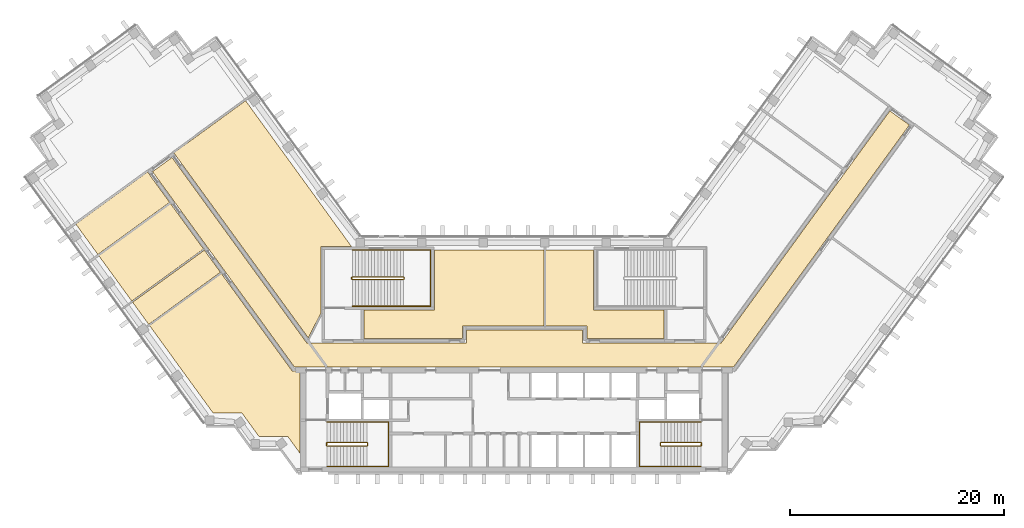
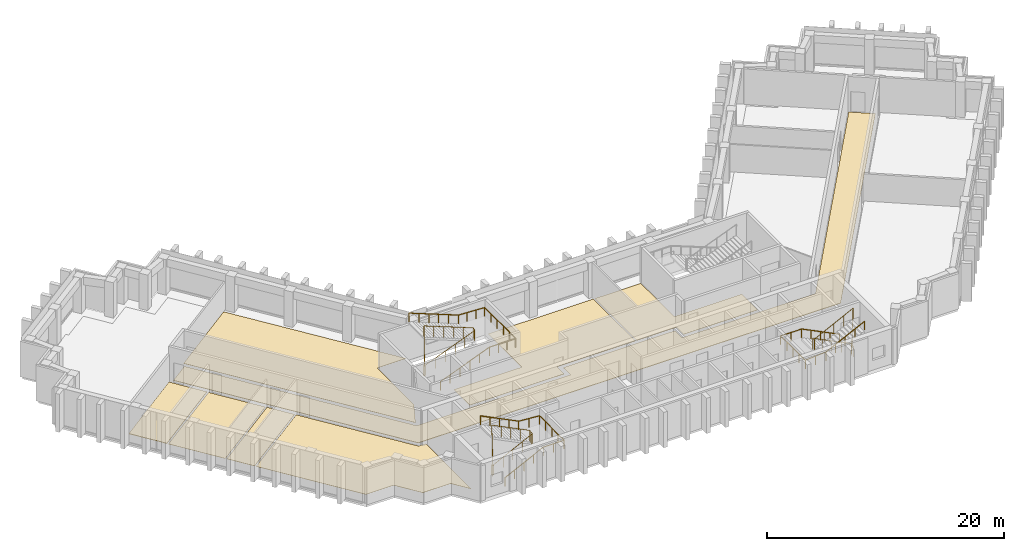
# One storey, part 9 of 10: 8 coverings, 6 railings.
"""IFC4 building model written with IfcOpenShell, lengths in metres."""

import ifcopenshell
import ifcopenshell.guid

model = None  # the IFC model being written
_history = None  # IfcOwnerHistory: only IFC2X3 demands one
_inside = {}  # id of a spatial element -> (the spatial element, [elements in it])
_under = {}  # id of a project, library or spatial element -> (it, [spatial elements below it])
_declared = {}  # id of a project -> (the project, [libraries it declares])
_typed = {}  # id of a type object -> (the type object, [elements of that type])
_made_of = {}  # id of a material, layer set ... -> (it, [elements and type objects made of it])


def new_model(schema):
    """Start an empty IFC model of exactly this schema.

    Asked for "IFC4X3", IfcOpenShell would pick the latest addendum, in which some entities
    have other attributes; the version numbers below select the first issue.
    IFC2X3 requires an IfcOwnerHistory on every rooted entity: one is made here for all.
    """
    global model, _history
    if schema == "IFC4X3":
        model = ifcopenshell.file(schema_version=(4, 3, 0, 0))
    else:
        model = ifcopenshell.file(schema=schema)
    _inside.clear()
    _under.clear()
    _declared.clear()
    _typed.clear()
    _made_of.clear()
    _history = None
    if model.schema == "IFC2X3":
        org = make("IfcOrganization", Name="unknown")
        user = make(
            "IfcPersonAndOrganization",
            ThePerson=make("IfcPerson", FamilyName="unknown"),
            TheOrganization=org,
        )
        app = make(
            "IfcApplication",
            ApplicationDeveloper=org,
            Version="unknown",
            ApplicationFullName="unknown",
            ApplicationIdentifier="unknown",
        )
        _history = make(
            "IfcOwnerHistory",
            OwningUser=user,
            OwningApplication=app,
            ChangeAction="ADDED",
            CreationDate=0,
        )
    return model


def make(cls, **values):
    """One entity of the class cls with the attributes given. An attribute that is None is left unset."""
    return model.create_entity(
        cls, **{name: value for name, value in values.items() if value is not None}
    )


def rooted(cls, **values):
    """An entity with a GlobalId (a new one), such as an element, a storey or a relation."""
    return make(cls, GlobalId=ifcopenshell.guid.new(), OwnerHistory=_history, **values)


def si_unit(unit_type, name, prefix=None):
    """IfcSIUnit, for example si_unit("LENGTHUNIT", "METRE", prefix="MILLI")."""
    return make("IfcSIUnit", UnitType=unit_type, Prefix=prefix, Name=name)


def assignment(units):
    """IfcUnitAssignment: the units of a project."""
    return None if units is None else make("IfcUnitAssignment", Units=units)


def point(xyz):
    """IfcCartesianPoint."""
    return None if xyz is None else make("IfcCartesianPoint", Coordinates=xyz)


def direction(xyz):
    """IfcDirection."""
    return None if xyz is None else make("IfcDirection", DirectionRatios=xyz)


def frame(location, z_axis=None, x_axis=None):
    """IfcAxis2Placement3D, a coordinate frame: its origin and axes. An axis left out is left unset."""
    return make(
        "IfcAxis2Placement3D",
        Location=point(location),
        Axis=direction(z_axis),
        RefDirection=direction(x_axis),
    )


def frame_2d(location, x_axis=None):
    """IfcAxis2Placement2D, a coordinate frame in the plane: its origin and x axis."""
    return make(
        "IfcAxis2Placement2D", Location=point(location), RefDirection=direction(x_axis)
    )


def origin():
    """The frame at (0, 0, 0) with its axes left unset."""
    return frame((0.0, 0.0, 0.0))


def origin_2d():
    """The frame at (0, 0) in the plane with its x axis left unset."""
    return frame_2d((0.0, 0.0))


def place(relative_to, where):
    """IfcLocalPlacement: puts the frame where relative to a parent placement (None: the world)."""
    return make(
        "IfcLocalPlacement", PlacementRelTo=relative_to, RelativePlacement=where
    )


def context(
    kind, dimensions, precision=None, world=None, true_north=None, identifier=None
):
    """IfcGeometricRepresentationContext, for example the 3D "Model" context."""
    return make(
        "IfcGeometricRepresentationContext",
        ContextIdentifier=identifier,
        ContextType=kind,
        CoordinateSpaceDimension=dimensions,
        Precision=precision,
        WorldCoordinateSystem=world,
        TrueNorth=true_north,
    )


def subcontext(parent, identifier, kind, view, scale=None):
    """IfcGeometricRepresentationSubContext, for example "Body" below "Model"."""
    return make(
        "IfcGeometricRepresentationSubContext",
        ContextIdentifier=identifier,
        ContextType=kind,
        ParentContext=parent,
        TargetScale=scale,
        TargetView=view,
    )


def project(units=None, contexts=None):
    """IfcProject with its units and contexts."""
    return rooted(
        "IfcProject",
        Name="project",
        RepresentationContexts=contexts,
        UnitsInContext=assignment(units),
    )


def spatial(cls, under=None, at=None, **own):
    """A site, building, storey or space (cls), placed at a placement, below another one or the project."""
    s = rooted(cls, ObjectPlacement=at, **own)
    if under is not None:
        _under.setdefault(under.id(), (under, []))[1].append(s)
    return s


def polyline(points):
    """IfcPolyline through the points."""
    return make("IfcPolyline", Points=[point(p) for p in points])


def profile(cls, at=None, kind="AREA", **sizes):
    """A parametric profile (cls). Its sizes go by their IFC names, for example OverallWidth=200.0."""
    return make(cls, ProfileType=kind, Position=at, **sizes)


def circle(**sizes):
    """IfcCircleProfileDef."""
    return profile("IfcCircleProfileDef", **sizes)


def outline(outer, holes=None, kind="AREA"):
    """IfcArbitraryClosedProfileDef: a profile drawn as a closed curve; with holes, ...WithVoids."""
    if holes is None:
        return make("IfcArbitraryClosedProfileDef", ProfileType=kind, OuterCurve=outer)
    return make(
        "IfcArbitraryProfileDefWithVoids",
        ProfileType=kind,
        OuterCurve=outer,
        InnerCurves=holes,
    )


def extrude(swept, where, along, depth):
    """IfcExtrudedAreaSolid: the profile swept, set in the frame where, extruded along a direction by depth."""
    return make(
        "IfcExtrudedAreaSolid",
        SweptArea=swept,
        Position=where,
        ExtrudedDirection=direction(along),
        Depth=depth,
    )


def shape(context_of_items, identifier, shape_type, items):
    """IfcShapeRepresentation: the items that make up one representation, for example the "Body"."""
    return make(
        "IfcShapeRepresentation",
        ContextOfItems=context_of_items,
        RepresentationIdentifier=identifier,
        RepresentationType=shape_type,
        Items=items,
    )


def material(Name=None, Category=None):
    """IfcMaterial."""
    return make("IfcMaterial", Name=Name, Category=Category)


def layer(
    of_material, thickness, ventilated=None, Name=None, Category=None, Priority=None
):
    """IfcMaterialLayer: one layer of a wall or slab, of a material (None: an air gap)."""
    return make(
        "IfcMaterialLayer",
        Material=of_material,
        LayerThickness=thickness,
        IsVentilated=ventilated,
        Name=Name,
        Category=Category,
        Priority=Priority,
    )


def layer_set(layers, Name=None):
    """IfcMaterialLayerSet."""
    return make("IfcMaterialLayerSet", MaterialLayers=layers, LayerSetName=Name)


def made_of(thing, what):
    """Note that an element or type object is made of a material, layer set ...; save() writes the relation."""
    if what is not None:
        _made_of.setdefault(what.id(), (what, []))[1].append(thing)
    return thing


def type_object(cls, material=None, **own):
    """A type object (cls), such as IfcWallType, which elements share."""
    return made_of(rooted(cls, **own), material)


def element(
    cls,
    number,
    at=None,
    inside=None,
    cuts=None,
    type_object=None,
    material=None,
    context=None,
    identifier="Body",
    shape_type=None,
    held_by="IfcProductDefinitionShape",
    body=None,
    shapes=None,
    **own,
):
    """One element of the class cls, such as IfcWall. Its Tag is "e" and its number.

    at: its placement. inside: the storey or other place that contains it. cuts: it is an
    opening in that element (IfcRelVoidsElement). A single representation is given by context,
    identifier, shape_type and body (its items); several are given by shapes. held_by: the class
    of the entity that holds the representations. save() writes the other relations.
    """
    e = rooted(cls, Tag="e%d" % number, ObjectPlacement=at, **own)
    if body is not None:
        shapes = [shape(context, identifier, shape_type, body)]
    if shapes is not None:
        e.Representation = make(held_by, Representations=shapes)
    if inside is not None:
        _inside.setdefault(inside.id(), (inside, []))[1].append(e)
    if cuts is not None:
        rooted(
            "IfcRelVoidsElement", RelatingBuildingElement=cuts, RelatedOpeningElement=e
        )
    if type_object is not None:
        _typed.setdefault(type_object.id(), (type_object, []))[1].append(e)
    return made_of(e, material)


def aggregate(whole, parts):
    """IfcRelAggregates: a whole, such as a stair, and the parts it consists of."""
    return rooted("IfcRelAggregates", RelatingObject=whole, RelatedObjects=parts)


def save(model, path):
    """Write the relations noted so far, then the file.

    IfcRelAggregates (storeys below a building ...), IfcRelContainedInSpatialStructure (elements
    in a storey), IfcRelDefinesByType, IfcRelAssociatesMaterial and IfcRelDeclares: one each for
    every whole, place, type object, material and project.
    """
    for whole, parts in _under.values():
        aggregate(whole, parts)
    for where, things in _inside.values():
        rooted(
            "IfcRelContainedInSpatialStructure",
            RelatedElements=things,
            RelatingStructure=where,
        )
    for kind, things in _typed.values():
        rooted("IfcRelDefinesByType", RelatedObjects=things, RelatingType=kind)
    for what, things in _made_of.values():
        rooted("IfcRelAssociatesMaterial", RelatedObjects=things, RelatingMaterial=what)
    for by, libraries in _declared.values():
        rooted("IfcRelDeclares", RelatingContext=by, RelatedDefinitions=libraries)
    model.write(path)


model = new_model("IFC4")

# Units and contexts
model_context = context("Model", 3, precision=1e-05, world=origin(), true_north=direction((0.0, 1.0)))
body_context = subcontext(model_context, "Body", "Model", "MODEL_VIEW")
ifc_project = project(units=[si_unit("LENGTHUNIT", "METRE"), si_unit("AREAUNIT", "SQUARE_METRE"), si_unit("VOLUMEUNIT", "CUBIC_METRE"), si_unit("PLANEANGLEUNIT", "RADIAN"), si_unit("MASSUNIT", "GRAM", prefix="KILO")], contexts=[model_context])

# Site, building, storey
site_placement = place(None, origin())
site = spatial("IfcSite", under=ifc_project, at=site_placement, CompositionType="ELEMENT")
building_placement = place(site_placement, origin())
building = spatial("IfcBuilding", under=site, at=building_placement, Name="Quipu Civic Tower", CompositionType="ELEMENT")
storey_placement = place(building_placement, frame((0.0, 0.0, 176.0)))
storey = spatial("IfcBuildingStorey", under=building, at=storey_placement, Name="L41", CompositionType="ELEMENT", Elevation=176.0)

# Coverings
ifc_material_1 = material(Name="Carpet tile on raised access floor")
ifc_layer_1 = layer(ifc_material_1, 0.02001953125)
ifc_layer_set_1 = layer_set([ifc_layer_1], Name="Carpet tile on raised access floor")
covering_type_1 = type_object("IfcCoveringType", Name="Carpet tile floor finish 20", PredefinedType="FLOORING", material=ifc_layer_set_1)
covering_1_placement = place(storey_placement, origin())
element("IfcCovering", 1, at=covering_1_placement, inside=storey, type_object=covering_type_1, Name="Carpet tile floor finish 20", PredefinedType="FLOORING", context=body_context, shape_type="SweptSolid", body=[
    extrude(outline(polyline([(2.948974609375, 2.719970703125), (2.948974609375, 9.830078125), (7.429931640625, 9.830078125), (7.430908203125, 4.179931640625), (14.030029296875, 4.179931640625), (14.030029296875, 1.52001953125), (6.820068359375, 1.52001953125), (6.819091796875, 2.719970703125), (2.948974609375, 2.719970703125)])), origin(), (0.0, 0.0, 1.0), 0.02001953125),
])
covering_2_placement = place(storey_placement, origin())
element("IfcCovering", 2, at=covering_2_placement, inside=storey, type_object=covering_type_1, Name="Carpet tile floor finish 20", PredefinedType="FLOORING", context=body_context, shape_type="SweptSolid", body=[
    extrude(outline(polyline([(-38.89990234375, 9.291015625), (-32.177001953125, 14.174072265625), (-29.0859375, 9.9189453125), (-35.80908203125, 5.034912109375), (-38.89990234375, 9.291015625)])), origin(), (0.0, 0.0, 1.0), 0.02001953125),
])
covering_3_placement = place(storey_placement, origin())
element("IfcCovering", 3, at=covering_3_placement, inside=storey, type_object=covering_type_1, Name="Carpet tile floor finish 20", PredefinedType="FLOORING", context=body_context, shape_type="SweptSolid", body=[
    extrude(outline(polyline([(-14.030029296875, 1.52001953125), (-14.030029296875, 4.179931640625), (-7.429931640625, 4.180908203125), (-7.429931640625, 9.830078125), (2.80908203125, 9.830078125), (2.80908203125, 2.719970703125), (-4.818115234375, 2.719970703125), (-4.820068359375, 1.52001953125), (-14.030029296875, 1.52001953125)])), origin(), (0.0, 0.0, 1.0), 0.02001953125),
])
covering_4_placement = place(storey_placement, origin())
element("IfcCovering", 4, at=covering_4_placement, inside=storey, type_object=covering_type_1, Name="Carpet tile floor finish 20", PredefinedType="FLOORING", context=body_context, shape_type="SweptSolid", body=[
    extrude(outline(polyline([(-31.865966796875, 18.9189453125), (-25.14306640625, 23.802978515625), (-15.238037109375, 10.169921875), (-18.070068359375, 10.1689453125), (-18.070068359375, 3.94189453125), (-19.27197265625, 1.583984375), (-31.865966796875, 18.9189453125)])), origin(), (0.0, 0.0, 1.0), 0.02001953125),
])
covering_5_placement = place(storey_placement, origin())
element("IfcCovering", 5, at=covering_5_placement, inside=storey, type_object=covering_type_1, Name="Carpet tile floor finish 20", PredefinedType="FLOORING", context=body_context, shape_type="SweptSolid", body=[
    extrude(outline(polyline([(-34.138916015625, 2.738037109375), (-27.416015625, 7.62109375), (-20.77490234375, -1.51904296875), (-20.070068359375, -1.52001953125), (-20.070068359375, -9.195068359375), (-21.196044921875, -7.64599609375), (-23.89501953125, -7.64599609375), (-25.48193359375, -5.4619140625), (-28.181884765625, -5.4609375), (-34.138916015625, 2.738037109375)])), origin(), (0.0, 0.0, 1.0), 0.02001953125),
])
ifc_material_2 = material(Name="Ceramic floor tile")
ifc_layer_2 = layer(ifc_material_2, 0.030029296875)
ifc_layer_set_2 = layer_set([ifc_layer_2], Name="Ceramic floor tile")
covering_type_2 = type_object("IfcCoveringType", Name="Ceramic tile floor finish 30", PredefinedType="FLOORING", material=ifc_layer_set_2)
covering_6_placement = place(storey_placement, origin())
element("IfcCovering", 6, at=covering_6_placement, inside=storey, type_object=covering_type_2, Name="Ceramic tile floor finish 30", PredefinedType="FLOORING", context=body_context, shape_type="SweptSolid", body=[
    extrude(outline(polyline([(-35.72607421875, 4.922119140625), (-29.0029296875, 9.805908203125), (-27.4990234375, 7.73388671875), (-34.221923828125, 2.85107421875), (-35.72607421875, 4.922119140625)])), origin(), (0.0, 0.0, 1.0), 0.030029296875),
])
ifc_material_3 = material(Name="Sealed cement screed")
ifc_layer_3 = layer(ifc_material_3, 0.050048828125)
ifc_layer_set_3 = layer_set([ifc_layer_3], Name="Sealed cement screed")
covering_type_3 = type_object("IfcCoveringType", Name="Sealed screed floor finish 50", PredefinedType="FLOORING", material=ifc_layer_set_3)
covering_7_placement = place(storey_placement, origin())
element("IfcCovering", 7, at=covering_7_placement, inside=storey, type_object=covering_type_3, Name="Sealed screed floor finish 50", PredefinedType="FLOORING", context=body_context, shape_type="SweptSolid", body=[
    extrude(outline(polyline([(-41.048095703125, 12.2470703125), (-34.324951171875, 17.131103515625), (-32.260009765625, 14.287109375), (-38.98291015625, 9.404052734375), (-41.048095703125, 12.2470703125)])), origin(), (0.0, 0.0, 1.0), 0.050048828125),
])

# Railings
ifc_material_4 = material(Name="Stainless steel", Category="steel")
railing_type_1 = type_object("IfcRailingType", Name="Stair guard 1100", PredefinedType="GUARDRAIL", material=ifc_material_4)
railing_1_placement = place(storey_placement, frame((-17.5, -8.550048828125, 0.15380859375)))
element("IfcRailing", 8, at=railing_1_placement, inside=storey, type_object=railing_type_1, Name="Stair 1 guard", PredefinedType="GUARDRAIL", context=body_context, shape_type="SweptSolid", body=[
    extrude(circle(Radius=0.02392578125, at=origin_2d()), frame((0.0, 0.0, 1.076171875), z_axis=(0.895751851347, 0.0, 0.444554407028), x_axis=(0.0, 1.0, 0.0)), (0.0, 0.0, 1.0), 4.15283203125),
    extrude(circle(Radius=0.02392578125, at=origin_2d()), frame((3.719970703125, 0.0, 2.92236328125), z_axis=(0.707106781187, 0.707106781187, 0.0), x_axis=(-0.707106781187, 0.707106781187, 0.0)), (0.0, 0.0, 1.0), 0.07080078125),
    extrude(circle(Radius=0.02392578125, at=origin_2d()), frame((3.77001953125, 0.050048828125, 2.92236328125), z_axis=(0.0, 1.0, 0.0), x_axis=(-1.0, 0.0, 0.0)), (0.0, 0.0, 1.0), 0.25),
    extrude(circle(Radius=0.02392578125, at=origin_2d()), frame((3.77001953125, 0.300048828125, 2.92236328125), z_axis=(-0.295599637079, 0.295599637079, 0.908428152975), x_axis=(-0.707106781187, -0.707106781187, 0.0)), (0.0, 0.0, 1.0), 0.16943359375),
    extrude(circle(Radius=0.02392578125, at=origin_2d()), frame((3.719970703125, 0.35009765625, 3.076171875), z_axis=(-0.895751851347, 0.0, 0.444554407028), x_axis=(0.0, -1.0, 0.0)), (0.0, 0.0, 1.0), 4.15283203125),
    extrude(circle(Radius=0.02392578125, at=origin_2d()), frame((0.0, 0.35009765625, 4.92236328125), z_axis=(-0.012476181752, -0.074796231092, -0.997120789425), x_axis=(0.986372223864, -0.164529134168, 0.0)), (0.0, 0.0, 1.0), 4.011474609375),
    extrude(circle(Radius=0.02392578125, at=origin_2d()), frame((-0.050048828125, 0.050048828125, 0.92236328125), z_axis=(0.0, 1.0, 0.0), x_axis=(-1.0, 0.0, 0.0)), (0.0, 0.0, 1.0), 0.25),
    extrude(circle(Radius=0.02099609375, at=origin_2d()), origin(), (0.0, 0.0, 1.0), 1.052001953125),
    extrude(circle(Radius=0.02099609375, at=origin_2d()), frame((0.929931640625, 0.0, 0.46142578125)), (0.0, 0.0, 1.0), 1.052001953125),
    extrude(circle(Radius=0.02099609375, at=origin_2d()), frame((1.85986328125, 0.0, 0.923095703125)), (0.0, 0.0, 1.0), 1.052001953125),
    extrude(circle(Radius=0.02099609375, at=origin_2d()), frame((2.7900390625, 0.0, 1.384765625)), (0.0, 0.0, 1.0), 1.052001953125),
    extrude(circle(Radius=0.02099609375, at=origin_2d()), frame((3.719970703125, 0.0, 1.84619140625)), (0.0, 0.0, 1.0), 1.052001953125),
    extrude(circle(Radius=0.02099609375, at=origin_2d()), frame((3.77001953125, 0.050048828125, 1.84619140625)), (0.0, 0.0, 1.0), 1.052001953125),
    extrude(circle(Radius=0.02099609375, at=origin_2d()), frame((3.77001953125, 0.300048828125, 1.84619140625)), (0.0, 0.0, 1.0), 1.052001953125),
    extrude(circle(Radius=0.02099609375, at=origin_2d()), frame((3.719970703125, 0.35009765625, 2.0)), (0.0, 0.0, 1.0), 1.052001953125),
    extrude(circle(Radius=0.02099609375, at=origin_2d()), frame((2.7900390625, 0.35009765625, 2.46142578125)), (0.0, 0.0, 1.0), 1.052001953125),
    extrude(circle(Radius=0.02099609375, at=origin_2d()), frame((1.85986328125, 0.35009765625, 2.923095703125)), (0.0, 0.0, 1.0), 1.052001953125),
    extrude(circle(Radius=0.02099609375, at=origin_2d()), frame((0.929931640625, 0.35009765625, 3.384765625)), (0.0, 0.0, 1.0), 1.052001953125),
    extrude(circle(Radius=0.02099609375, at=origin_2d()), frame((0.0, 0.35009765625, 3.84619140625)), (0.0, 0.0, 1.0), 1.052001953125),
    extrude(circle(Radius=0.02099609375, at=origin_2d()), frame((-0.012451171875, 0.275146484375, 2.84619140625)), (0.0, 0.0, 1.0), 1.052001953125),
    extrude(circle(Radius=0.02099609375, at=origin_2d()), frame((-0.02490234375, 0.2001953125, 1.84619140625)), (0.0, 0.0, 1.0), 1.052001953125),
    extrude(circle(Radius=0.02099609375, at=origin_2d()), frame((-0.03759765625, 0.125, 0.84619140625)), (0.0, 0.0, 1.0), 1.052001953125),
    extrude(circle(Radius=0.02099609375, at=origin_2d()), frame((-0.050048828125, 0.050048828125, -0.15380859375)), (0.0, 0.0, 1.0), 1.052001953125),
    extrude(circle(Radius=0.02099609375, at=origin_2d()), frame((-0.050048828125, 0.300048828125, -0.15380859375)), (0.0, 0.0, 1.0), 1.052001953125),
])
railing_2_placement = place(storey_placement, frame((17.5, -8.199951171875, 0.15380859375)))
element("IfcRailing", 9, at=railing_2_placement, inside=storey, type_object=railing_type_1, Name="Stair 2 guard", PredefinedType="GUARDRAIL", context=body_context, shape_type="SweptSolid", body=[
    extrude(circle(Radius=0.02392578125, at=origin_2d()), frame((0.0, 0.0, 1.076171875), z_axis=(-0.895751851347, 0.0, 0.444554407028), x_axis=(0.0, -1.0, 0.0)), (0.0, 0.0, 1.0), 4.15283203125),
    extrude(circle(Radius=0.02392578125, at=origin_2d()), frame((-3.719970703125, 0.0, 2.92236328125), z_axis=(-0.707106781187, -0.707106781187, 0.0), x_axis=(0.707106781187, -0.707106781187, 0.0)), (0.0, 0.0, 1.0), 0.07080078125),
    extrude(circle(Radius=0.02392578125, at=origin_2d()), frame((-3.77001953125, -0.050048828125, 2.92236328125), z_axis=(0.0, -1.0, 0.0), x_axis=(1.0, 0.0, 0.0)), (0.0, 0.0, 1.0), 0.25),
    extrude(circle(Radius=0.02392578125, at=origin_2d()), frame((-3.77001953125, -0.300048828125, 2.92236328125), z_axis=(0.295599637079, -0.295599637079, 0.908428152975), x_axis=(0.707106781187, 0.707106781187, 0.0)), (0.0, 0.0, 1.0), 0.16943359375),
    extrude(circle(Radius=0.02392578125, at=origin_2d()), frame((-3.719970703125, -0.35009765625, 3.076171875), z_axis=(0.895751851347, 0.0, 0.444554407028), x_axis=(0.0, 1.0, 0.0)), (0.0, 0.0, 1.0), 4.15283203125),
    extrude(circle(Radius=0.02392578125, at=origin_2d()), frame((0.0, -0.35009765625, 4.92236328125), z_axis=(0.012476181752, 0.074796231092, -0.997120789425), x_axis=(-0.986372223864, 0.164529134168, 0.0)), (0.0, 0.0, 1.0), 4.011474609375),
    extrude(circle(Radius=0.02392578125, at=origin_2d()), frame((0.050048828125, -0.050048828125, 0.92236328125), z_axis=(0.0, -1.0, 0.0), x_axis=(1.0, 0.0, 0.0)), (0.0, 0.0, 1.0), 0.25),
    extrude(circle(Radius=0.02099609375, at=origin_2d()), origin(), (0.0, 0.0, 1.0), 1.052001953125),
    extrude(circle(Radius=0.02099609375, at=origin_2d()), frame((-0.929931640625, 0.0, 0.46142578125)), (0.0, 0.0, 1.0), 1.052001953125),
    extrude(circle(Radius=0.02099609375, at=origin_2d()), frame((-1.85986328125, 0.0, 0.923095703125)), (0.0, 0.0, 1.0), 1.052001953125),
    extrude(circle(Radius=0.02099609375, at=origin_2d()), frame((-2.7900390625, 0.0, 1.384765625)), (0.0, 0.0, 1.0), 1.052001953125),
    extrude(circle(Radius=0.02099609375, at=origin_2d()), frame((-3.719970703125, 0.0, 1.84619140625)), (0.0, 0.0, 1.0), 1.052001953125),
    extrude(circle(Radius=0.02099609375, at=origin_2d()), frame((-3.77001953125, -0.050048828125, 1.84619140625)), (0.0, 0.0, 1.0), 1.052001953125),
    extrude(circle(Radius=0.02099609375, at=origin_2d()), frame((-3.77001953125, -0.300048828125, 1.84619140625)), (0.0, 0.0, 1.0), 1.052001953125),
    extrude(circle(Radius=0.02099609375, at=origin_2d()), frame((-3.719970703125, -0.35009765625, 2.0)), (0.0, 0.0, 1.0), 1.052001953125),
    extrude(circle(Radius=0.02099609375, at=origin_2d()), frame((-2.7900390625, -0.35009765625, 2.46142578125)), (0.0, 0.0, 1.0), 1.052001953125),
    extrude(circle(Radius=0.02099609375, at=origin_2d()), frame((-1.85986328125, -0.35009765625, 2.923095703125)), (0.0, 0.0, 1.0), 1.052001953125),
    extrude(circle(Radius=0.02099609375, at=origin_2d()), frame((-0.929931640625, -0.35009765625, 3.384765625)), (0.0, 0.0, 1.0), 1.052001953125),
    extrude(circle(Radius=0.02099609375, at=origin_2d()), frame((0.0, -0.35009765625, 3.84619140625)), (0.0, 0.0, 1.0), 1.052001953125),
    extrude(circle(Radius=0.02099609375, at=origin_2d()), frame((0.012451171875, -0.275146484375, 2.84619140625)), (0.0, 0.0, 1.0), 1.052001953125),
    extrude(circle(Radius=0.02099609375, at=origin_2d()), frame((0.02490234375, -0.2001953125, 1.84619140625)), (0.0, 0.0, 1.0), 1.052001953125),
    extrude(circle(Radius=0.02099609375, at=origin_2d()), frame((0.03759765625, -0.125, 0.84619140625)), (0.0, 0.0, 1.0), 1.052001953125),
    extrude(circle(Radius=0.02099609375, at=origin_2d()), frame((0.050048828125, -0.050048828125, -0.15380859375)), (0.0, 0.0, 1.0), 1.052001953125),
    extrude(circle(Radius=0.02099609375, at=origin_2d()), frame((0.050048828125, -0.300048828125, -0.15380859375)), (0.0, 0.0, 1.0), 1.052001953125),
])
railing_3_placement = place(storey_placement, frame((-15.14990234375, 7.050048828125, 0.11767578125)))
element("IfcRailing", 10, at=railing_3_placement, inside=storey, type_object=railing_type_1, Name="Stair 3 guard", PredefinedType="GUARDRAIL", context=body_context, shape_type="SweptSolid", body=[
    extrude(circle(Radius=0.02392578125, at=origin_2d()), frame((0.0, 0.0, 1.076171875), z_axis=(0.930970042603, 0.0, 0.365095576219), x_axis=(0.0, 1.0, 0.0)), (0.0, 0.0, 1.0), 5.15576171875),
    extrude(circle(Radius=0.02392578125, at=origin_2d()), frame((4.7998046875, 0.0, 2.95849609375), z_axis=(0.707106781187, 0.707106781187, 0.0), x_axis=(-0.707106781187, 0.707106781187, 0.0)), (0.0, 0.0, 1.0), 0.07080078125),
    extrude(circle(Radius=0.02392578125, at=origin_2d()), frame((4.849853515625, 0.050048828125, 2.95849609375), z_axis=(0.0, 1.0, 0.0), x_axis=(-1.0, 0.0, 0.0)), (0.0, 0.0, 1.0), 0.14990234375),
    extrude(circle(Radius=0.02392578125, at=origin_2d()), frame((4.849853515625, 0.199951171875, 2.95849609375), z_axis=(-0.364463019033, 0.364463019033, 0.856932561824), x_axis=(-0.707106781187, -0.707106781187, 0.0)), (0.0, 0.0, 1.0), 0.13720703125),
    extrude(circle(Radius=0.02392578125, at=origin_2d()), frame((4.7998046875, 0.25, 3.076171875), z_axis=(-0.930970042603, 0.0, 0.365095576219), x_axis=(0.0, -1.0, 0.0)), (0.0, 0.0, 1.0), 5.15576171875),
    extrude(circle(Radius=0.02392578125, at=origin_2d()), frame((0.0, 0.25, 4.95849609375), z_axis=(-0.012495627992, -0.049921557685, -0.998674970829), x_axis=(0.970072785993, -0.242814311512, 0.0)), (0.0, 0.0, 1.0), 4.00537109375),
    extrude(circle(Radius=0.02392578125, at=origin_2d()), frame((-0.050048828125, 0.050048828125, 0.95849609375), z_axis=(0.0, 1.0, 0.0), x_axis=(-1.0, 0.0, 0.0)), (0.0, 0.0, 1.0), 0.14990234375),
    extrude(circle(Radius=0.02099609375, at=origin_2d()), origin(), (0.0, 0.0, 1.0), 1.052001953125),
    extrude(circle(Radius=0.02099609375, at=origin_2d()), frame((0.9599609375, 0.0, 0.37646484375)), (0.0, 0.0, 1.0), 1.052001953125),
    extrude(circle(Radius=0.02099609375, at=origin_2d()), frame((1.919921875, 0.0, 0.7529296875)), (0.0, 0.0, 1.0), 1.052001953125),
    extrude(circle(Radius=0.02099609375, at=origin_2d()), frame((2.8798828125, 0.0, 1.12939453125)), (0.0, 0.0, 1.0), 1.052001953125),
    extrude(circle(Radius=0.02099609375, at=origin_2d()), frame((3.83984375, 0.0, 1.505859375)), (0.0, 0.0, 1.0), 1.052001953125),
    extrude(circle(Radius=0.02099609375, at=origin_2d()), frame((4.7998046875, 0.0, 1.88232421875)), (0.0, 0.0, 1.0), 1.052001953125),
    extrude(circle(Radius=0.02099609375, at=origin_2d()), frame((4.849853515625, 0.050048828125, 1.88232421875)), (0.0, 0.0, 1.0), 1.052001953125),
    extrude(circle(Radius=0.02099609375, at=origin_2d()), frame((4.849853515625, 0.199951171875, 1.88232421875)), (0.0, 0.0, 1.0), 1.052001953125),
    extrude(circle(Radius=0.02099609375, at=origin_2d()), frame((4.7998046875, 0.25, 2.0)), (0.0, 0.0, 1.0), 1.052001953125),
    extrude(circle(Radius=0.02099609375, at=origin_2d()), frame((3.83984375, 0.25, 2.37646484375)), (0.0, 0.0, 1.0), 1.052001953125),
    extrude(circle(Radius=0.02099609375, at=origin_2d()), frame((2.8798828125, 0.25, 2.7529296875)), (0.0, 0.0, 1.0), 1.052001953125),
    extrude(circle(Radius=0.02099609375, at=origin_2d()), frame((1.919921875, 0.25, 3.12939453125)), (0.0, 0.0, 1.0), 1.052001953125),
    extrude(circle(Radius=0.02099609375, at=origin_2d()), frame((0.9599609375, 0.25, 3.505859375)), (0.0, 0.0, 1.0), 1.052001953125),
    extrude(circle(Radius=0.02099609375, at=origin_2d()), frame((0.0, 0.25, 3.88232421875)), (0.0, 0.0, 1.0), 1.052001953125),
    extrude(circle(Radius=0.02099609375, at=origin_2d()), frame((-0.012451171875, 0.199951171875, 2.88232421875)), (0.0, 0.0, 1.0), 1.052001953125),
    extrude(circle(Radius=0.02099609375, at=origin_2d()), frame((-0.02490234375, 0.14990234375, 1.88232421875)), (0.0, 0.0, 1.0), 1.052001953125),
    extrude(circle(Radius=0.02099609375, at=origin_2d()), frame((-0.03759765625, 0.10009765625, 0.88232421875)), (0.0, 0.0, 1.0), 1.052001953125),
    extrude(circle(Radius=0.02099609375, at=origin_2d()), frame((-0.050048828125, 0.050048828125, -0.11767578125)), (0.0, 0.0, 1.0), 1.052001953125),
    extrude(circle(Radius=0.02099609375, at=origin_2d()), frame((-0.050048828125, 0.199951171875, -0.11767578125)), (0.0, 0.0, 1.0), 1.052001953125),
])
ifc_material_5 = material(Name="Stainless steel", Category="steel")
railing_type_2 = type_object("IfcRailingType", Name="Stair handrail", PredefinedType="HANDRAIL", material=ifc_material_5)
railing_4_placement = place(storey_placement, frame((-17.5, -10.449951171875, 0.15380859375)))
element("IfcRailing", 11, at=railing_4_placement, inside=storey, type_object=railing_type_2, Name="Stair 1 handrail", PredefinedType="HANDRAIL", context=body_context, shape_type="SweptSolid", body=[
    extrude(circle(Radius=0.02392578125, at=origin_2d()), frame((0.0, 0.0, 0.8759765625), z_axis=(0.895751851347, 0.0, 0.444554407028), x_axis=(0.0, 1.0, 0.0)), (0.0, 0.0, 1.0), 4.15283203125),
    extrude(circle(Radius=0.02392578125, at=origin_2d()), frame((3.719970703125, 0.0, 2.72216796875), z_axis=(1.0, 0.0, 0.0), x_axis=(0.0, 1.0, 0.0)), (0.0, 0.0, 1.0), 2.030029296875),
    extrude(circle(Radius=0.02392578125, at=origin_2d()), frame((5.75, 0.0, 2.72216796875), z_axis=(0.0, 1.0, 0.0), x_axis=(-1.0, 0.0, 0.0)), (0.0, 0.0, 1.0), 4.14990234375),
    extrude(circle(Radius=0.02392578125, at=origin_2d()), frame((5.75, 4.14990234375, 2.72216796875), z_axis=(-0.997142003663, 0.0, 0.075550145798), x_axis=(0.0, -1.0, 0.0)), (0.0, 0.0, 1.0), 2.035888671875),
    extrude(circle(Radius=0.02392578125, at=origin_2d()), frame((3.719970703125, 4.14990234375, 2.8759765625), z_axis=(-0.895751851347, 0.0, 0.444554407028), x_axis=(0.0, -1.0, 0.0)), (0.0, 0.0, 1.0), 4.15283203125),
    extrude(circle(Radius=0.02099609375, at=origin_2d()), origin(), (0.0, 0.0, 1.0), 0.851806640625),
    extrude(circle(Radius=0.02099609375, at=origin_2d()), frame((0.929931640625, 0.0, 0.46142578125)), (0.0, 0.0, 1.0), 0.851806640625),
    extrude(circle(Radius=0.02099609375, at=origin_2d()), frame((1.85986328125, 0.0, 0.923095703125)), (0.0, 0.0, 1.0), 0.851806640625),
    extrude(circle(Radius=0.02099609375, at=origin_2d()), frame((2.7900390625, 0.0, 1.384765625)), (0.0, 0.0, 1.0), 0.851806640625),
    extrude(circle(Radius=0.02099609375, at=origin_2d()), frame((3.719970703125, 0.0, 1.84619140625)), (0.0, 0.0, 1.0), 0.851806640625),
    extrude(circle(Radius=0.02099609375, at=origin_2d()), frame((4.73486328125, 0.0, 1.84619140625)), (0.0, 0.0, 1.0), 0.851806640625),
    extrude(circle(Radius=0.02099609375, at=origin_2d()), frame((5.75, 0.0, 1.84619140625)), (0.0, 0.0, 1.0), 0.851806640625),
    extrude(circle(Radius=0.02099609375, at=origin_2d()), frame((5.75, 1.03759765625, 1.84619140625)), (0.0, 0.0, 1.0), 0.851806640625),
    extrude(circle(Radius=0.02099609375, at=origin_2d()), frame((5.75, 2.074951171875, 1.84619140625)), (0.0, 0.0, 1.0), 0.851806640625),
    extrude(circle(Radius=0.02099609375, at=origin_2d()), frame((5.75, 3.1123046875, 1.84619140625)), (0.0, 0.0, 1.0), 0.851806640625),
    extrude(circle(Radius=0.02099609375, at=origin_2d()), frame((5.75, 4.14990234375, 1.84619140625)), (0.0, 0.0, 1.0), 0.851806640625),
    extrude(circle(Radius=0.02099609375, at=origin_2d()), frame((4.73486328125, 4.14990234375, 1.923095703125)), (0.0, 0.0, 1.0), 0.851806640625),
    extrude(circle(Radius=0.02099609375, at=origin_2d()), frame((3.719970703125, 4.14990234375, 2.0)), (0.0, 0.0, 1.0), 0.851806640625),
    extrude(circle(Radius=0.02099609375, at=origin_2d()), frame((2.7900390625, 4.14990234375, 2.46142578125)), (0.0, 0.0, 1.0), 0.851806640625),
    extrude(circle(Radius=0.02099609375, at=origin_2d()), frame((1.85986328125, 4.14990234375, 2.923095703125)), (0.0, 0.0, 1.0), 0.851806640625),
    extrude(circle(Radius=0.02099609375, at=origin_2d()), frame((0.929931640625, 4.14990234375, 3.384765625)), (0.0, 0.0, 1.0), 0.851806640625),
    extrude(circle(Radius=0.02099609375, at=origin_2d()), frame((0.0, 4.14990234375, 3.84619140625)), (0.0, 0.0, 1.0), 0.851806640625),
])
railing_5_placement = place(storey_placement, frame((17.5, -6.300048828125, 0.15380859375)))
element("IfcRailing", 12, at=railing_5_placement, inside=storey, type_object=railing_type_2, Name="Stair 2 handrail", PredefinedType="HANDRAIL", context=body_context, shape_type="SweptSolid", body=[
    extrude(circle(Radius=0.02392578125, at=origin_2d()), frame((0.0, 0.0, 0.8759765625), z_axis=(-0.895751851347, 0.0, 0.444554407028), x_axis=(0.0, -1.0, 0.0)), (0.0, 0.0, 1.0), 4.15283203125),
    extrude(circle(Radius=0.02392578125, at=origin_2d()), frame((-3.719970703125, 0.0, 2.72216796875), z_axis=(-1.0, 0.0, 0.0), x_axis=(0.0, -1.0, 0.0)), (0.0, 0.0, 1.0), 2.030029296875),
    extrude(circle(Radius=0.02392578125, at=origin_2d()), frame((-5.75, 0.0, 2.72216796875), z_axis=(0.0, -1.0, 0.0), x_axis=(1.0, 0.0, 0.0)), (0.0, 0.0, 1.0), 4.14990234375),
    extrude(circle(Radius=0.02392578125, at=origin_2d()), frame((-5.75, -4.14990234375, 2.72216796875), z_axis=(0.997142003663, 0.0, 0.075550145798), x_axis=(0.0, 1.0, 0.0)), (0.0, 0.0, 1.0), 2.035888671875),
    extrude(circle(Radius=0.02392578125, at=origin_2d()), frame((-3.719970703125, -4.14990234375, 2.8759765625), z_axis=(0.895751851347, 0.0, 0.444554407028), x_axis=(0.0, 1.0, 0.0)), (0.0, 0.0, 1.0), 4.15283203125),
    extrude(circle(Radius=0.02099609375, at=origin_2d()), origin(), (0.0, 0.0, 1.0), 0.851806640625),
    extrude(circle(Radius=0.02099609375, at=origin_2d()), frame((-0.929931640625, 0.0, 0.46142578125)), (0.0, 0.0, 1.0), 0.851806640625),
    extrude(circle(Radius=0.02099609375, at=origin_2d()), frame((-1.85986328125, 0.0, 0.923095703125)), (0.0, 0.0, 1.0), 0.851806640625),
    extrude(circle(Radius=0.02099609375, at=origin_2d()), frame((-2.7900390625, 0.0, 1.384765625)), (0.0, 0.0, 1.0), 0.851806640625),
    extrude(circle(Radius=0.02099609375, at=origin_2d()), frame((-3.719970703125, 0.0, 1.84619140625)), (0.0, 0.0, 1.0), 0.851806640625),
    extrude(circle(Radius=0.02099609375, at=origin_2d()), frame((-4.73486328125, 0.0, 1.84619140625)), (0.0, 0.0, 1.0), 0.851806640625),
    extrude(circle(Radius=0.02099609375, at=origin_2d()), frame((-5.75, 0.0, 1.84619140625)), (0.0, 0.0, 1.0), 0.851806640625),
    extrude(circle(Radius=0.02099609375, at=origin_2d()), frame((-5.75, -1.03759765625, 1.84619140625)), (0.0, 0.0, 1.0), 0.851806640625),
    extrude(circle(Radius=0.02099609375, at=origin_2d()), frame((-5.75, -2.074951171875, 1.84619140625)), (0.0, 0.0, 1.0), 0.851806640625),
    extrude(circle(Radius=0.02099609375, at=origin_2d()), frame((-5.75, -3.1123046875, 1.84619140625)), (0.0, 0.0, 1.0), 0.851806640625),
    extrude(circle(Radius=0.02099609375, at=origin_2d()), frame((-5.75, -4.14990234375, 1.84619140625)), (0.0, 0.0, 1.0), 0.851806640625),
    extrude(circle(Radius=0.02099609375, at=origin_2d()), frame((-4.73486328125, -4.14990234375, 1.923095703125)), (0.0, 0.0, 1.0), 0.851806640625),
    extrude(circle(Radius=0.02099609375, at=origin_2d()), frame((-3.719970703125, -4.14990234375, 2.0)), (0.0, 0.0, 1.0), 0.851806640625),
    extrude(circle(Radius=0.02099609375, at=origin_2d()), frame((-2.7900390625, -4.14990234375, 2.46142578125)), (0.0, 0.0, 1.0), 0.851806640625),
    extrude(circle(Radius=0.02099609375, at=origin_2d()), frame((-1.85986328125, -4.14990234375, 2.923095703125)), (0.0, 0.0, 1.0), 0.851806640625),
    extrude(circle(Radius=0.02099609375, at=origin_2d()), frame((-0.929931640625, -4.14990234375, 3.384765625)), (0.0, 0.0, 1.0), 0.851806640625),
    extrude(circle(Radius=0.02099609375, at=origin_2d()), frame((0.0, -4.14990234375, 3.84619140625)), (0.0, 0.0, 1.0), 0.851806640625),
])
railing_6_placement = place(storey_placement, frame((-15.14990234375, 4.550048828125, 0.11767578125)))
element("IfcRailing", 13, at=railing_6_placement, inside=storey, type_object=railing_type_2, Name="Stair 3 handrail", PredefinedType="HANDRAIL", context=body_context, shape_type="SweptSolid", body=[
    extrude(circle(Radius=0.02392578125, at=origin_2d()), frame((0.0, 0.0, 0.8759765625), z_axis=(0.930970042603, 0.0, 0.365095576219), x_axis=(0.0, 1.0, 0.0)), (0.0, 0.0, 1.0), 5.15576171875),
    extrude(circle(Radius=0.02392578125, at=origin_2d()), frame((4.7998046875, 0.0, 2.75830078125), z_axis=(1.0, 0.0, 0.0), x_axis=(0.0, 1.0, 0.0)), (0.0, 0.0, 1.0), 2.550048828125),
    extrude(circle(Radius=0.02392578125, at=origin_2d()), frame((7.349853515625, 0.0, 2.75830078125), z_axis=(0.0, 1.0, 0.0), x_axis=(-1.0, 0.0, 0.0)), (0.0, 0.0, 1.0), 5.25),
    extrude(circle(Radius=0.02392578125, at=origin_2d()), frame((7.349853515625, 5.25, 2.75830078125), z_axis=(-0.998936948642, 0.0, 0.04609742549), x_axis=(0.0, -1.0, 0.0)), (0.0, 0.0, 1.0), 2.552734375),
    extrude(circle(Radius=0.02392578125, at=origin_2d()), frame((4.7998046875, 5.25, 2.8759765625), z_axis=(-0.930970042603, 0.0, 0.365095576219), x_axis=(0.0, -1.0, 0.0)), (0.0, 0.0, 1.0), 5.15576171875),
    extrude(circle(Radius=0.02099609375, at=origin_2d()), origin(), (0.0, 0.0, 1.0), 0.851806640625),
    extrude(circle(Radius=0.02099609375, at=origin_2d()), frame((0.9599609375, 0.0, 0.37646484375)), (0.0, 0.0, 1.0), 0.851806640625),
    extrude(circle(Radius=0.02099609375, at=origin_2d()), frame((1.919921875, 0.0, 0.7529296875)), (0.0, 0.0, 1.0), 0.851806640625),
    extrude(circle(Radius=0.02099609375, at=origin_2d()), frame((2.8798828125, 0.0, 1.12939453125)), (0.0, 0.0, 1.0), 0.851806640625),
    extrude(circle(Radius=0.02099609375, at=origin_2d()), frame((3.83984375, 0.0, 1.505859375)), (0.0, 0.0, 1.0), 0.851806640625),
    extrude(circle(Radius=0.02099609375, at=origin_2d()), frame((4.7998046875, 0.0, 1.88232421875)), (0.0, 0.0, 1.0), 0.851806640625),
    extrude(circle(Radius=0.02099609375, at=origin_2d()), frame((5.64990234375, 0.0, 1.88232421875)), (0.0, 0.0, 1.0), 0.851806640625),
    extrude(circle(Radius=0.02099609375, at=origin_2d()), frame((6.499755859375, 0.0, 1.88232421875)), (0.0, 0.0, 1.0), 0.851806640625),
    extrude(circle(Radius=0.02099609375, at=origin_2d()), frame((7.349853515625, 0.0, 1.88232421875)), (0.0, 0.0, 1.0), 0.851806640625),
    extrude(circle(Radius=0.02099609375, at=origin_2d()), frame((7.349853515625, 1.050048828125, 1.88232421875)), (0.0, 0.0, 1.0), 0.851806640625),
    extrude(circle(Radius=0.02099609375, at=origin_2d()), frame((7.349853515625, 2.10009765625, 1.88232421875)), (0.0, 0.0, 1.0), 0.851806640625),
    extrude(circle(Radius=0.02099609375, at=origin_2d()), frame((7.349853515625, 3.14990234375, 1.88232421875)), (0.0, 0.0, 1.0), 0.851806640625),
    extrude(circle(Radius=0.02099609375, at=origin_2d()), frame((7.349853515625, 4.199951171875, 1.88232421875)), (0.0, 0.0, 1.0), 0.851806640625),
    extrude(circle(Radius=0.02099609375, at=origin_2d()), frame((7.349853515625, 5.25, 1.88232421875)), (0.0, 0.0, 1.0), 0.851806640625),
    extrude(circle(Radius=0.02099609375, at=origin_2d()), frame((6.499755859375, 5.25, 1.921630859375)), (0.0, 0.0, 1.0), 0.851806640625),
    extrude(circle(Radius=0.02099609375, at=origin_2d()), frame((5.64990234375, 5.25, 1.960693359375)), (0.0, 0.0, 1.0), 0.851806640625),
    extrude(circle(Radius=0.02099609375, at=origin_2d()), frame((4.7998046875, 5.25, 2.0)), (0.0, 0.0, 1.0), 0.851806640625),
    extrude(circle(Radius=0.02099609375, at=origin_2d()), frame((3.83984375, 5.25, 2.37646484375)), (0.0, 0.0, 1.0), 0.851806640625),
    extrude(circle(Radius=0.02099609375, at=origin_2d()), frame((2.8798828125, 5.25, 2.7529296875)), (0.0, 0.0, 1.0), 0.851806640625),
    extrude(circle(Radius=0.02099609375, at=origin_2d()), frame((1.919921875, 5.25, 3.12939453125)), (0.0, 0.0, 1.0), 0.851806640625),
    extrude(circle(Radius=0.02099609375, at=origin_2d()), frame((0.9599609375, 5.25, 3.505859375)), (0.0, 0.0, 1.0), 0.851806640625),
    extrude(circle(Radius=0.02099609375, at=origin_2d()), frame((0.0, 5.25, 3.88232421875)), (0.0, 0.0, 1.0), 0.851806640625),
])

# Covering
ifc_material_6 = material(Name="Terrazzo floor finish")
ifc_layer_4 = layer(ifc_material_6, 0.0400390625)
ifc_layer_set_4 = layer_set([ifc_layer_4], Name="Terrazzo floor finish")
covering_type_4 = type_object("IfcCoveringType", Name="Terrazzo floor finish 40", PredefinedType="FLOORING", material=ifc_layer_set_4)
covering_8_placement = place(storey_placement, origin())
element("IfcCovering", 14, at=covering_8_placement, inside=storey, type_object=covering_type_4, Name="Terrazzo floor finish 40", PredefinedType="FLOORING", context=body_context, shape_type="SweptSolid", body=[
    extrude(outline(polyline([(19.425048828125, 1.1298828125), (35.208984375, 22.85498046875), (37.037109375, 21.527099609375), (20.574951171875, -1.1298828125), (-20.574951171875, -1.1298828125), (-33.863037109375, 17.158935546875), (-32.033935546875, 18.487060546875), (-19.425048828125, 1.1298828125), (-4.429931640625, 1.1298828125), (-4.429931640625, 2.330078125), (6.429931640625, 2.330078125), (6.429931640625, 1.1298828125), (19.425048828125, 1.1298828125)])), origin(), (0.0, 0.0, 1.0), 0.0400390625),
])

save(model, "model.ifc")
